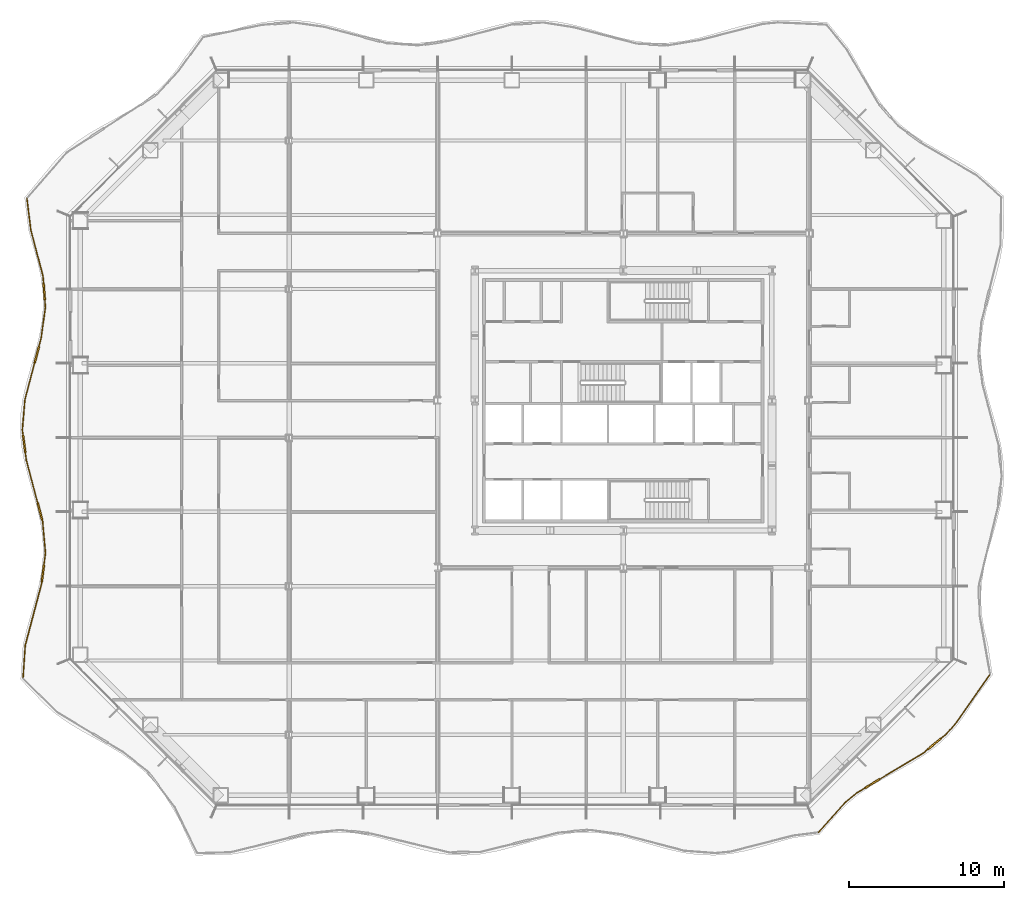
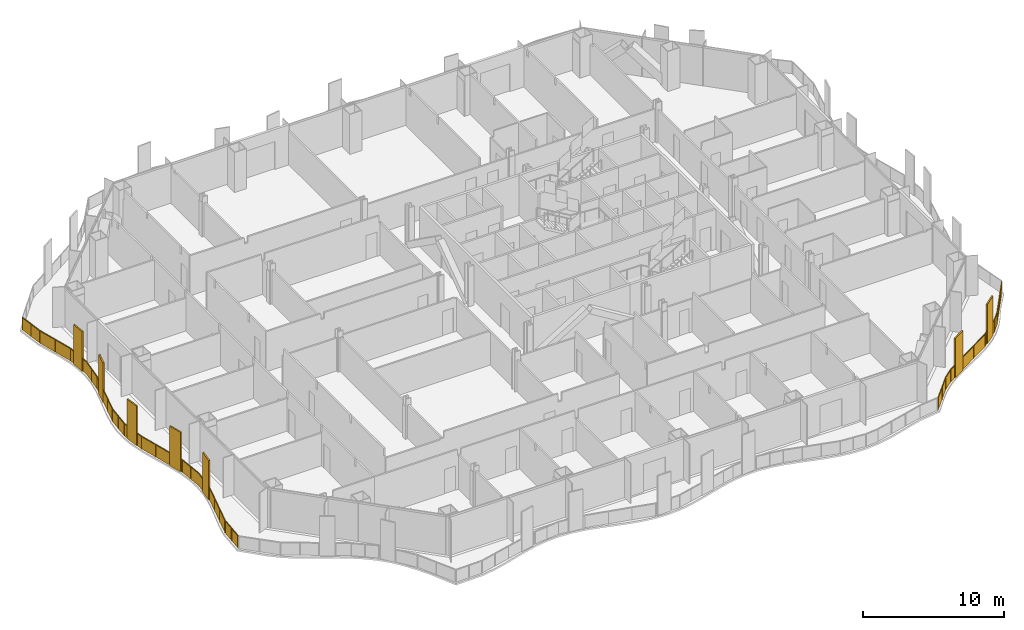
# One storey, part 16 of 20: 2 railings.
"""IFC4 building model written with IfcOpenShell, lengths in metres."""

from ifc_helpers import new_model, si_unit, direction, frame, origin, origin_2d, place, context, subcontext, project, spatial, polyline, rectangle, outline, extrude, material, type_object, element, save


model = new_model("IFC4")

# Units and contexts
model_context = context("Model", 3, precision=1e-05, world=origin(), true_north=direction((0.0, 1.0)))
body_context = subcontext(model_context, "Body", "Model", "MODEL_VIEW")
ifc_project = project(units=[si_unit("LENGTHUNIT", "METRE"), si_unit("AREAUNIT", "SQUARE_METRE"), si_unit("VOLUMEUNIT", "CUBIC_METRE"), si_unit("PLANEANGLEUNIT", "RADIAN"), si_unit("MASSUNIT", "GRAM", prefix="KILO")], contexts=[model_context])

# Site, building, storey
site_placement = place(None, origin())
site = spatial("IfcSite", under=ifc_project, at=site_placement, CompositionType="ELEMENT")
building_placement = place(site_placement, origin())
building = spatial("IfcBuilding", under=site, at=building_placement, Name="Cairn Pilgrim Tower", CompositionType="ELEMENT")
storey_placement = place(building_placement, frame((0.0, 0.0, 51.0)))
storey = spatial("IfcBuildingStorey", under=building, at=storey_placement, Name="L10", CompositionType="ELEMENT", Elevation=51.0)

# Railings
ifc_material = material(Name="Bronze anodised aluminium rail, posts and fin screens with laminated glass infill", Category="aluminium")
railing_type = type_object("IfcRailingType", Name="BALCONY GUARD WITH FIN SCREENS", PredefinedType="GUARDRAIL", material=ifc_material)
railing_1_placement = place(storey_placement, frame((19.806396484375, -25.50146484375, 0.0)))
element("IfcRailing", 1, at=railing_1_placement, inside=storey, type_object=railing_type, Name="Balcony guard BGF-2 with fin screens", PredefinedType="GUARDRAIL", context=body_context, shape_type="SweptSolid", body=[
    extrude(rectangle(XDim=0.050048828125, YDim=0.050048828125, at=origin_2d()), frame((0.0, 0.0, 1.0751953125), z_axis=(0.669372577271, 0.742926882538, 0.0), x_axis=(-0.742926882538, 0.669372577271, 0.0)), (0.0, 0.0, 1.0), 2.5791015625),
    extrude(rectangle(XDim=0.050048828125, YDim=0.050048828125, at=origin_2d()), frame((1.726318359375, 1.916015625, 1.0751953125), z_axis=(0.769505319522, 0.638640402126, 0.0), x_axis=(-0.638640402126, 0.769505319522, 0.0)), (0.0, 0.0, 1.0), 0.996337890625),
    extrude(rectangle(XDim=1.10009765625, YDim=0.110107421875, at=origin_2d()), frame((3.4912109375, 3.150390625, 0.0), z_axis=(0.0, 0.0, 1.0), x_axis=(0.857803039217, 0.513978546158, 0.0)), (0.0, 0.0, 1.0), 3.39990234375),
    extrude(rectangle(XDim=0.050048828125, YDim=0.050048828125, at=origin_2d()), frame((2.492919921875, 2.55224609375, 1.0751953125), z_axis=(0.857803039217, 0.513978546158, 0.0), x_axis=(-0.513978546158, 0.857803039217, 0.0)), (0.0, 0.0, 1.0), 0.61376953125),
    extrude(rectangle(XDim=0.050048828125, YDim=0.050048828125, at=origin_2d()), frame((3.962890625, 3.43310546875, 1.0751953125), z_axis=(0.857803039217, 0.513978546158, 0.0), x_axis=(-0.513978546158, 0.857803039217, 0.0)), (0.0, 0.0, 1.0), 3.28515625),
    extrude(rectangle(XDim=1.10009765625, YDim=0.110107421875, at=origin_2d()), frame((7.51220703125, 5.723876953125, 0.0), z_axis=(0.0, 0.0, 1.0), x_axis=(0.771805757531, 0.635858374673, 0.0)), (0.0, 0.0, 1.0), 3.39990234375),
    extrude(rectangle(XDim=0.050048828125, YDim=0.050048828125, at=origin_2d()), frame((6.781005859375, 5.12158203125, 1.0751953125), z_axis=(0.771805757531, 0.635858374673, 0.0), x_axis=(-0.635858374673, 0.771805757531, 0.0)), (0.0, 0.0, 1.0), 0.397216796875),
    extrude(rectangle(XDim=0.050048828125, YDim=0.050048828125, at=origin_2d()), frame((7.9365234375, 6.07373046875, 1.0751953125), z_axis=(0.771805757531, 0.635858374673, 0.0), x_axis=(-0.635858374673, 0.771805757531, 0.0)), (0.0, 0.0, 1.0), 0.427978515625),
    extrude(rectangle(XDim=0.050048828125, YDim=0.050048828125, at=origin_2d()), frame((8.266845703125, 6.345703125, 1.0751953125), z_axis=(0.658722586756, 0.752385907429, 0.0), x_axis=(-0.752385907429, 0.658722586756, 0.0)), (0.0, 0.0, 1.0), 0.951416015625),
    extrude(rectangle(XDim=0.050048828125, YDim=0.050048828125, at=origin_2d()), frame((8.8935546875, 7.0615234375, 1.0751953125), z_axis=(0.573518794437, 0.819192402569, 0.0), x_axis=(-0.819192402569, 0.573518794437, 0.0)), (0.0, 0.0, 1.0), 3.773193359375),
    extrude(rectangle(XDim=0.050048828125, YDim=0.050048828125, at=origin_2d()), origin(), (0.0, 0.0, 1.0), 1.050048828125),
    extrude(rectangle(XDim=0.050048828125, YDim=0.050048828125, at=origin_2d()), frame((0.86328125, 0.9580078125, 0.0)), (0.0, 0.0, 1.0), 1.050048828125),
    extrude(rectangle(XDim=0.050048828125, YDim=0.050048828125, at=origin_2d()), frame((1.726318359375, 1.916015625, 0.0)), (0.0, 0.0, 1.0), 1.050048828125),
    extrude(rectangle(XDim=0.050048828125, YDim=0.050048828125, at=origin_2d()), frame((2.492919921875, 2.55224609375, 0.0)), (0.0, 0.0, 1.0), 1.050048828125),
    extrude(rectangle(XDim=0.050048828125, YDim=0.050048828125, at=origin_2d()), frame((2.998046875, 2.854736328125, 0.0)), (0.0, 0.0, 1.0), 1.050048828125),
    extrude(rectangle(XDim=0.050048828125, YDim=0.050048828125, at=origin_2d()), frame((3.984375, 3.446044921875, 0.0)), (0.0, 0.0, 1.0), 1.050048828125),
    extrude(rectangle(XDim=0.050048828125, YDim=0.050048828125, at=origin_2d()), frame((5.3828125, 4.28369140625, 0.0)), (0.0, 0.0, 1.0), 1.050048828125),
    extrude(rectangle(XDim=0.050048828125, YDim=0.050048828125, at=origin_2d()), frame((6.781005859375, 5.12158203125, 0.0)), (0.0, 0.0, 1.0), 1.050048828125),
    extrude(rectangle(XDim=0.050048828125, YDim=0.050048828125, at=origin_2d()), frame((7.068359375, 5.358154296875, 0.0)), (0.0, 0.0, 1.0), 1.050048828125),
    extrude(rectangle(XDim=0.050048828125, YDim=0.050048828125, at=origin_2d()), frame((7.955810546875, 6.089599609375, 0.0)), (0.0, 0.0, 1.0), 1.050048828125),
    extrude(rectangle(XDim=0.050048828125, YDim=0.050048828125, at=origin_2d()), frame((8.266845703125, 6.345703125, 0.0)), (0.0, 0.0, 1.0), 1.050048828125),
    extrude(rectangle(XDim=0.050048828125, YDim=0.050048828125, at=origin_2d()), frame((8.8935546875, 7.0615234375, 0.0)), (0.0, 0.0, 1.0), 1.050048828125),
    extrude(rectangle(XDim=0.050048828125, YDim=0.050048828125, at=origin_2d()), frame((9.614990234375, 8.091796875, 0.0)), (0.0, 0.0, 1.0), 1.050048828125),
    extrude(rectangle(XDim=0.050048828125, YDim=0.050048828125, at=origin_2d()), frame((10.336181640625, 9.122314453125, 0.0)), (0.0, 0.0, 1.0), 1.050048828125),
    extrude(rectangle(XDim=0.050048828125, YDim=0.050048828125, at=origin_2d()), frame((11.0576171875, 10.152587890625, 0.0)), (0.0, 0.0, 1.0), 1.050048828125),
    extrude(outline(polyline([(0.02490234375, 0.0), (1.264404296875, 0.0), (1.264404296875, 1.050048828125), (0.02490234375, 1.050048828125), (0.02490234375, 0.0)])), frame((-0.00439453125, 0.00390625, 0.0), z_axis=(0.742926882538, -0.669372577271, 0.0), x_axis=(0.669372577271, 0.742926882538, 0.0)), (0.0, 0.0, 1.0), 0.011962890625),
    extrude(outline(polyline([(0.02490234375, 0.0), (1.264404296875, 0.0), (1.264404296875, 1.050048828125), (0.02490234375, 1.050048828125), (0.02490234375, 0.0)])), frame((0.858642578125, 0.9619140625, 0.0), z_axis=(0.742926882538, -0.669372577271, 0.0), x_axis=(0.669372577271, 0.742926882538, 0.0)), (0.0, 0.0, 1.0), 0.011962890625),
    extrude(outline(polyline([(0.02490234375, 0.0), (0.97119140625, 0.0), (0.97119140625, 1.050048828125), (0.02490234375, 1.050048828125), (0.02490234375, 0.0)])), frame((1.722412109375, 1.920654296875, 0.0), z_axis=(0.638640402126, -0.769505319522, 0.0), x_axis=(0.769505319522, 0.638640402126, 0.0)), (0.0, 0.0, 1.0), 0.011962890625),
    extrude(outline(polyline([(0.02490234375, 0.0), (0.563720703125, 0.0), (0.563720703125, 1.050048828125), (0.02490234375, 1.050048828125), (0.02490234375, 0.0)])), frame((2.48974609375, 2.557373046875, 0.0), z_axis=(0.513978546158, -0.857803039217, 0.0), x_axis=(0.857803039217, 0.513978546158, 0.0)), (0.0, 0.0, 1.0), 0.011962890625),
    extrude(outline(polyline([(0.02490234375, 0.0), (1.60498046875, 0.0), (1.60498046875, 1.050048828125), (0.02490234375, 1.050048828125), (0.02490234375, 0.0)])), frame((3.9814453125, 3.451171875, 0.0), z_axis=(0.513978546158, -0.857803039217, 0.0), x_axis=(0.857803039217, 0.513978546158, 0.0)), (0.0, 0.0, 1.0), 0.011962890625),
    extrude(outline(polyline([(0.02490234375, 0.0), (1.60498046875, 0.0), (1.60498046875, 1.050048828125), (0.02490234375, 1.050048828125), (0.02490234375, 0.0)])), frame((5.379638671875, 4.288818359375, 0.0), z_axis=(0.513978546158, -0.857803039217, 0.0), x_axis=(0.857803039217, 0.513978546158, 0.0)), (0.0, 0.0, 1.0), 0.011962890625),
    extrude(outline(polyline([(0.02490234375, 0.0), (0.34716796875, 0.0), (0.34716796875, 1.050048828125), (0.02490234375, 1.050048828125), (0.02490234375, 0.0)])), frame((6.777099609375, 5.126220703125, 0.0), z_axis=(0.635858374673, -0.771805757531, 0.0), x_axis=(0.771805757531, 0.635858374673, 0.0)), (0.0, 0.0, 1.0), 0.011962890625),
    extrude(outline(polyline([(0.02490234375, 0.0), (0.3779296875, 0.0), (0.3779296875, 1.050048828125), (0.02490234375, 1.050048828125), (0.02490234375, 0.0)])), frame((7.9521484375, 6.09423828125, 0.0), z_axis=(0.635858374673, -0.771805757531, 0.0), x_axis=(0.771805757531, 0.635858374673, 0.0)), (0.0, 0.0, 1.0), 0.011962890625),
    extrude(outline(polyline([(0.02490234375, 0.0), (0.92626953125, 0.0), (0.92626953125, 1.050048828125), (0.02490234375, 1.050048828125), (0.02490234375, 0.0)])), frame((8.262451171875, 6.349609375, 0.0), z_axis=(0.752385907429, -0.658722586756, 0.0), x_axis=(0.658722586756, 0.752385907429, 0.0)), (0.0, 0.0, 1.0), 0.011962890625),
    extrude(outline(polyline([(0.02490234375, 0.0), (1.232666015625, 0.0), (1.232666015625, 1.050048828125), (0.02490234375, 1.050048828125), (0.02490234375, 0.0)])), frame((8.888671875, 7.06494140625, 0.0), z_axis=(0.819192402569, -0.573518794437, 0.0), x_axis=(0.573518794437, 0.819192402569, 0.0)), (0.0, 0.0, 1.0), 0.011962890625),
    extrude(outline(polyline([(0.02490234375, 0.0), (1.232666015625, 0.0), (1.232666015625, 1.050048828125), (0.02490234375, 1.050048828125), (0.02490234375, 0.0)])), frame((9.610107421875, 8.09521484375, 0.0), z_axis=(0.819192402569, -0.573518794437, 0.0), x_axis=(0.573518794437, 0.819192402569, 0.0)), (0.0, 0.0, 1.0), 0.011962890625),
    extrude(outline(polyline([(0.02490234375, 0.0), (1.232666015625, 0.0), (1.232666015625, 1.050048828125), (0.02490234375, 1.050048828125), (0.02490234375, 0.0)])), frame((10.331298828125, 9.125732421875, 0.0), z_axis=(0.819192402569, -0.573518794437, 0.0), x_axis=(0.573518794437, 0.819192402569, 0.0)), (0.0, 0.0, 1.0), 0.011962890625),
])
railing_2_placement = place(storey_placement, frame((-31.350341796875, 15.473388671875, 0.0)))
element("IfcRailing", 2, at=railing_2_placement, inside=storey, type_object=railing_type, Name="Balcony guard BGF-7 with fin screens", PredefinedType="GUARDRAIL", context=body_context, shape_type="SweptSolid", body=[
    extrude(rectangle(XDim=0.050048828125, YDim=0.050048828125, at=origin_2d()), frame((0.0, 0.0, 1.0751953125), z_axis=(0.1221029482, -0.992517440673, 0.0), x_axis=(0.992517440673, 0.1221029482, 0.0)), (0.0, 0.0, 1.0), 2.053466796875),
    extrude(rectangle(XDim=0.050048828125, YDim=0.050048828125, at=origin_2d()), frame((0.250732421875, -2.0380859375, 1.0751953125), z_axis=(0.255252920373, -0.966874317914, 0.0), x_axis=(0.966874317914, 0.255252920373, 0.0)), (0.0, 0.0, 1.0), 3.084716796875),
    extrude(rectangle(XDim=1.10009765625, YDim=0.110107421875, at=origin_2d()), frame((1.115478515625, -6.005615234375, 0.0), z_axis=(0.0, 0.0, 1.0), x_axis=(0.078238304034, -0.996934685815, 0.0)), (0.0, 0.0, 1.0), 3.39990234375),
    extrude(rectangle(XDim=0.050048828125, YDim=0.050048828125, at=origin_2d()), frame((1.0380859375, -5.0205078125, 1.0751953125), z_axis=(0.078238304034, -0.996934685815, 0.0), x_axis=(0.996934685815, 0.078238304034, 0.0)), (0.0, 0.0, 1.0), 0.43798828125),
    extrude(rectangle(XDim=0.050048828125, YDim=0.050048828125, at=origin_2d()), frame((1.158447265625, -6.553955078125, 1.0751953125), z_axis=(0.078238304034, -0.996934685815, 0.0), x_axis=(0.996934685815, 0.078238304034, 0.0)), (0.0, 0.0, 1.0), 0.484130859375),
    extrude(rectangle(XDim=0.050048828125, YDim=0.050048828125, at=origin_2d()), frame((1.1962890625, -7.036376953125, 1.0751953125), z_axis=(-0.137060499236, -0.990562678254, 0.0), x_axis=(0.990562678254, -0.137060499236, 0.0)), (0.0, 0.0, 1.0), 2.030517578125),
    extrude(rectangle(XDim=1.10009765625, YDim=0.110107421875, at=origin_2d()), frame((0.639404296875, -10.1025390625, 0.0), z_axis=(0.0, 0.0, 1.0), x_axis=(-0.255403711426, -0.966834496793, 0.0)), (0.0, 0.0, 1.0), 3.39990234375),
    extrude(rectangle(XDim=0.050048828125, YDim=0.050048828125, at=origin_2d()), frame((0.91796875, -9.0478515625, 1.0751953125), z_axis=(-0.255403711426, -0.966834496793, 0.0), x_axis=(0.966834496793, -0.255403711426, 0.0)), (0.0, 0.0, 1.0), 0.540771484375),
    extrude(rectangle(XDim=0.050048828125, YDim=0.050048828125, at=origin_2d()), frame((0.498779296875, -10.63427734375, 1.0751953125), z_axis=(-0.255403711426, -0.966834496793, 0.0), x_axis=(0.966834496793, -0.255403711426, 0.0)), (0.0, 0.0, 1.0), 2.4638671875),
    extrude(rectangle(XDim=0.050048828125, YDim=0.050048828125, at=origin_2d()), frame((-0.13037109375, -13.016357421875, 1.0751953125), z_axis=(-0.084166909647, -0.996451670339, 0.0), x_axis=(0.996451670339, -0.084166909647, 0.0)), (0.0, 0.0, 1.0), 1.9638671875),
    extrude(rectangle(XDim=1.10009765625, YDim=0.110107421875, at=origin_2d()), frame((-0.176513671875, -15.869140625, 0.0), z_axis=(0.0, 0.0, 1.0), x_axis=(0.131702853889, -0.991289240473, 0.0)), (0.0, 0.0, 1.0), 3.39990234375),
    extrude(rectangle(XDim=0.050048828125, YDim=0.050048828125, at=origin_2d()), frame((-0.295654296875, -14.97314453125, 1.0751953125), z_axis=(0.131702853889, -0.991289240473, 0.0), x_axis=(0.991289240473, 0.131702853889, 0.0)), (0.0, 0.0, 1.0), 0.353759765625),
    extrude(rectangle(XDim=0.050048828125, YDim=0.050048828125, at=origin_2d()), frame((-0.104248046875, -16.414306640625, 1.0751953125), z_axis=(0.131702853889, -0.991289240473, 0.0), x_axis=(0.991289240473, 0.131702853889, 0.0)), (0.0, 0.0, 1.0), 0.524169921875),
    extrude(rectangle(XDim=1.10009765625, YDim=0.110107421875, at=origin_2d()), frame((0.838134765625, -20.232666015625, 0.0), z_axis=(0.0, 0.0, 1.0), x_axis=(0.255921930689, -0.966697452874, 0.0)), (0.0, 0.0, 1.0), 3.39990234375),
    extrude(rectangle(XDim=0.050048828125, YDim=0.050048828125, at=origin_2d()), frame((-0.03515625, -16.933837890625, 1.0751953125), z_axis=(0.255921930689, -0.966697452874, 0.0), x_axis=(0.966697452874, 0.255921930689, 0.0)), (0.0, 0.0, 1.0), 2.8623046875),
    extrude(rectangle(XDim=0.050048828125, YDim=0.050048828125, at=origin_2d()), frame((0.97900390625, -20.764404296875, 1.0751953125), z_axis=(0.255921930689, -0.966697452874, 0.0), x_axis=(0.966697452874, 0.255921930689, 0.0)), (0.0, 0.0, 1.0), 0.150146484375),
    extrude(rectangle(XDim=0.050048828125, YDim=0.050048828125, at=origin_2d()), frame((1.017333984375, -20.909423828125, 1.0751953125), z_axis=(0.090024344552, -0.995939565128, 0.0), x_axis=(0.995939565128, 0.090024344552, 0.0)), (0.0, 0.0, 1.0), 2.023193359375),
    extrude(rectangle(XDim=1.10009765625, YDim=0.110107421875, at=origin_2d()), frame((1.031494140625, -24.2421875, 0.0), z_axis=(0.0, 0.0, 1.0), x_axis=(-0.12635978431, -0.991984478159, 0.0)), (0.0, 0.0, 1.0), 3.39990234375),
    extrude(rectangle(XDim=0.050048828125, YDim=0.050048828125, at=origin_2d()), frame((1.199462890625, -22.92431640625, 1.0751953125), z_axis=(-0.12635978431, -0.991984478159, 0.0), x_axis=(0.991984478159, -0.12635978431, 0.0)), (0.0, 0.0, 1.0), 0.778564453125),
    extrude(rectangle(XDim=0.050048828125, YDim=0.050048828125, at=origin_2d()), frame((0.962158203125, -24.787841796875, 1.0751953125), z_axis=(-0.12635978431, -0.991984478159, 0.0), x_axis=(0.991984478159, -0.12635978431, 0.0)), (0.0, 0.0, 1.0), 0.150146484375),
    extrude(rectangle(XDim=0.050048828125, YDim=0.050048828125, at=origin_2d()), frame((0.943115234375, -24.936767578125, 1.0751953125), z_axis=(-0.256266876343, -0.966606066652, 0.0), x_axis=(0.966606066652, -0.256266876343, 0.0)), (0.0, 0.0, 1.0), 4.105224609375),
    extrude(rectangle(XDim=0.050048828125, YDim=0.050048828125, at=origin_2d()), frame((-0.10888671875, -28.90478515625, 1.0751953125), z_axis=(-0.06691638949, -0.997758586441, 0.0), x_axis=(0.997758586441, -0.06691638949, 0.0)), (0.0, 0.0, 1.0), 2.07958984375),
    extrude(rectangle(XDim=0.050048828125, YDim=0.050048828125, at=origin_2d()), origin(), (0.0, 0.0, 1.0), 1.050048828125),
    extrude(rectangle(XDim=0.050048828125, YDim=0.050048828125, at=origin_2d()), frame((0.12548828125, -1.01904296875, 0.0)), (0.0, 0.0, 1.0), 1.050048828125),
    extrude(rectangle(XDim=0.050048828125, YDim=0.050048828125, at=origin_2d()), frame((0.250732421875, -2.0380859375, 0.0)), (0.0, 0.0, 1.0), 1.050048828125),
    extrude(rectangle(XDim=0.050048828125, YDim=0.050048828125, at=origin_2d()), frame((0.64453125, -3.529296875, 0.0)), (0.0, 0.0, 1.0), 1.050048828125),
    extrude(rectangle(XDim=0.050048828125, YDim=0.050048828125, at=origin_2d()), frame((1.0380859375, -5.0205078125, 0.0)), (0.0, 0.0, 1.0), 1.050048828125),
    extrude(rectangle(XDim=0.050048828125, YDim=0.050048828125, at=origin_2d()), frame((1.0703125, -5.432373046875, 0.0)), (0.0, 0.0, 1.0), 1.050048828125),
    extrude(rectangle(XDim=0.050048828125, YDim=0.050048828125, at=origin_2d()), frame((1.160400390625, -6.578857421875, 0.0)), (0.0, 0.0, 1.0), 1.050048828125),
    extrude(rectangle(XDim=0.050048828125, YDim=0.050048828125, at=origin_2d()), frame((1.1962890625, -7.036376953125, 0.0)), (0.0, 0.0, 1.0), 1.050048828125),
    extrude(rectangle(XDim=0.050048828125, YDim=0.050048828125, at=origin_2d()), frame((1.05712890625, -8.0419921875, 0.0)), (0.0, 0.0, 1.0), 1.050048828125),
    extrude(rectangle(XDim=0.050048828125, YDim=0.050048828125, at=origin_2d()), frame((0.91796875, -9.0478515625, 0.0)), (0.0, 0.0, 1.0), 1.050048828125),
    extrude(rectangle(XDim=0.050048828125, YDim=0.050048828125, at=origin_2d()), frame((0.7861328125, -9.546630859375, 0.0)), (0.0, 0.0, 1.0), 1.050048828125),
    extrude(rectangle(XDim=0.050048828125, YDim=0.050048828125, at=origin_2d()), frame((0.492431640625, -10.658447265625, 0.0)), (0.0, 0.0, 1.0), 1.050048828125),
    extrude(rectangle(XDim=0.050048828125, YDim=0.050048828125, at=origin_2d()), frame((0.18115234375, -11.83740234375, 0.0)), (0.0, 0.0, 1.0), 1.050048828125),
    extrude(rectangle(XDim=0.050048828125, YDim=0.050048828125, at=origin_2d()), frame((-0.13037109375, -13.016357421875, 0.0)), (0.0, 0.0, 1.0), 1.050048828125),
    extrude(rectangle(XDim=0.050048828125, YDim=0.050048828125, at=origin_2d()), frame((-0.212890625, -13.99462890625, 0.0)), (0.0, 0.0, 1.0), 1.050048828125),
    extrude(rectangle(XDim=0.050048828125, YDim=0.050048828125, at=origin_2d()), frame((-0.295654296875, -14.97314453125, 0.0)), (0.0, 0.0, 1.0), 1.050048828125),
    extrude(rectangle(XDim=0.050048828125, YDim=0.050048828125, at=origin_2d()), frame((-0.25244140625, -15.299072265625, 0.0)), (0.0, 0.0, 1.0), 1.050048828125),
    extrude(rectangle(XDim=0.050048828125, YDim=0.050048828125, at=origin_2d()), frame((-0.100830078125, -16.439208984375, 0.0)), (0.0, 0.0, 1.0), 1.050048828125),
    extrude(rectangle(XDim=0.050048828125, YDim=0.050048828125, at=origin_2d()), frame((-0.03515625, -16.933837890625, 0.0)), (0.0, 0.0, 1.0), 1.050048828125),
    extrude(rectangle(XDim=0.050048828125, YDim=0.050048828125, at=origin_2d()), frame((0.327880859375, -18.30517578125, 0.0)), (0.0, 0.0, 1.0), 1.050048828125),
    extrude(rectangle(XDim=0.050048828125, YDim=0.050048828125, at=origin_2d()), frame((0.69091796875, -19.6767578125, 0.0)), (0.0, 0.0, 1.0), 1.050048828125),
    extrude(rectangle(XDim=0.050048828125, YDim=0.050048828125, at=origin_2d()), frame((0.9853515625, -20.78857421875, 0.0)), (0.0, 0.0, 1.0), 1.050048828125),
    extrude(rectangle(XDim=0.050048828125, YDim=0.050048828125, at=origin_2d()), frame((1.017333984375, -20.909423828125, 0.0)), (0.0, 0.0, 1.0), 1.050048828125),
    extrude(rectangle(XDim=0.050048828125, YDim=0.050048828125, at=origin_2d()), frame((1.1083984375, -21.9169921875, 0.0)), (0.0, 0.0, 1.0), 1.050048828125),
    extrude(rectangle(XDim=0.050048828125, YDim=0.050048828125, at=origin_2d()), frame((1.199462890625, -22.92431640625, 0.0)), (0.0, 0.0, 1.0), 1.050048828125),
    extrude(rectangle(XDim=0.050048828125, YDim=0.050048828125, at=origin_2d()), frame((1.104248046875, -23.671875, 0.0)), (0.0, 0.0, 1.0), 1.050048828125),
    extrude(rectangle(XDim=0.050048828125, YDim=0.050048828125, at=origin_2d()), frame((0.958984375, -24.812744140625, 0.0)), (0.0, 0.0, 1.0), 1.050048828125),
    extrude(rectangle(XDim=0.050048828125, YDim=0.050048828125, at=origin_2d()), frame((0.943115234375, -24.936767578125, 0.0)), (0.0, 0.0, 1.0), 1.050048828125),
    extrude(rectangle(XDim=0.050048828125, YDim=0.050048828125, at=origin_2d()), frame((0.592529296875, -26.259521484375, 0.0)), (0.0, 0.0, 1.0), 1.050048828125),
    extrude(rectangle(XDim=0.050048828125, YDim=0.050048828125, at=origin_2d()), frame((0.24169921875, -27.58203125, 0.0)), (0.0, 0.0, 1.0), 1.050048828125),
    extrude(rectangle(XDim=0.050048828125, YDim=0.050048828125, at=origin_2d()), frame((-0.10888671875, -28.90478515625, 0.0)), (0.0, 0.0, 1.0), 1.050048828125),
    extrude(rectangle(XDim=0.050048828125, YDim=0.050048828125, at=origin_2d()), frame((-0.178466796875, -29.9423828125, 0.0)), (0.0, 0.0, 1.0), 1.050048828125),
    extrude(rectangle(XDim=0.050048828125, YDim=0.050048828125, at=origin_2d()), frame((-0.248046875, -30.979736328125, 0.0)), (0.0, 0.0, 1.0), 1.050048828125),
    extrude(outline(polyline([(0.02490234375, 0.0), (1.001708984375, 0.0), (1.001708984375, 1.050048828125), (0.02490234375, 1.050048828125), (0.02490234375, 0.0)])), frame((0.005859375, 0.000732421875, 0.0), z_axis=(-0.992517440673, -0.1221029482, 0.0), x_axis=(0.1221029482, -0.992517440673, 0.0)), (0.0, 0.0, 1.0), 0.011962890625),
    extrude(outline(polyline([(0.02490234375, 0.0), (1.001708984375, 0.0), (1.001708984375, 1.050048828125), (0.02490234375, 1.050048828125), (0.02490234375, 0.0)])), frame((0.13134765625, -1.018310546875, 0.0), z_axis=(-0.992517440673, -0.1221029482, 0.0), x_axis=(0.1221029482, -0.992517440673, 0.0)), (0.0, 0.0, 1.0), 0.011962890625),
    extrude(outline(polyline([(0.02490234375, 0.0), (1.517333984375, 0.0), (1.517333984375, 1.050048828125), (0.02490234375, 1.050048828125), (0.02490234375, 0.0)])), frame((0.256591796875, -2.03662109375, 0.0), z_axis=(-0.966874317914, -0.255252920373, 0.0), x_axis=(0.255252920373, -0.966874317914, 0.0)), (0.0, 0.0, 1.0), 0.011962890625),
    extrude(outline(polyline([(0.02490234375, 0.0), (1.517333984375, 0.0), (1.517333984375, 1.050048828125), (0.02490234375, 1.050048828125), (0.02490234375, 0.0)])), frame((0.650146484375, -3.52783203125, 0.0), z_axis=(-0.966874317914, -0.255252920373, 0.0), x_axis=(0.255252920373, -0.966874317914, 0.0)), (0.0, 0.0, 1.0), 0.011962890625),
    extrude(outline(polyline([(0.02490234375, 0.0), (0.387939453125, 0.0), (0.387939453125, 1.050048828125), (0.02490234375, 1.050048828125), (0.02490234375, 0.0)])), frame((1.0439453125, -5.02001953125, 0.0), z_axis=(-0.996934685815, -0.078238304034, 0.0), x_axis=(0.078238304034, -0.996934685815, 0.0)), (0.0, 0.0, 1.0), 0.011962890625),
    extrude(outline(polyline([(0.02490234375, 0.0), (0.43408203125, 0.0), (0.43408203125, 1.050048828125), (0.02490234375, 1.050048828125), (0.02490234375, 0.0)])), frame((1.166259765625, -6.578369140625, 0.0), z_axis=(-0.996934685815, -0.078238304034, 0.0), x_axis=(0.078238304034, -0.996934685815, 0.0)), (0.0, 0.0, 1.0), 0.011962890625),
    extrude(outline(polyline([(0.02490234375, 0.0), (0.990234375, 0.0), (0.990234375, 1.050048828125), (0.02490234375, 1.050048828125), (0.02490234375, 0.0)])), frame((1.2021484375, -7.037109375, 0.0), z_axis=(-0.990562678254, 0.137060499236, 0.0), x_axis=(-0.137060499236, -0.990562678254, 0.0)), (0.0, 0.0, 1.0), 0.011962890625),
    extrude(outline(polyline([(0.02490234375, 0.0), (0.990234375, 0.0), (0.990234375, 1.050048828125), (0.02490234375, 1.050048828125), (0.02490234375, 0.0)])), frame((1.06298828125, -8.04296875, 0.0), z_axis=(-0.990562678254, 0.137060499236, 0.0), x_axis=(-0.137060499236, -0.990562678254, 0.0)), (0.0, 0.0, 1.0), 0.011962890625),
    extrude(outline(polyline([(0.02490234375, 0.0), (0.49072265625, 0.0), (0.49072265625, 1.050048828125), (0.02490234375, 1.050048828125), (0.02490234375, 0.0)])), frame((0.923828125, -9.04931640625, 0.0), z_axis=(-0.966834496793, 0.255403711426, 0.0), x_axis=(-0.255403711426, -0.966834496793, 0.0)), (0.0, 0.0, 1.0), 0.011962890625),
    extrude(outline(polyline([(0.02490234375, 0.0), (1.1943359375, 0.0), (1.1943359375, 1.050048828125), (0.02490234375, 1.050048828125), (0.02490234375, 0.0)])), frame((0.498291015625, -10.659912109375, 0.0), z_axis=(-0.966834496793, 0.255403711426, 0.0), x_axis=(-0.255403711426, -0.966834496793, 0.0)), (0.0, 0.0, 1.0), 0.011962890625),
    extrude(outline(polyline([(0.02490234375, 0.0), (1.1943359375, 0.0), (1.1943359375, 1.050048828125), (0.02490234375, 1.050048828125), (0.02490234375, 0.0)])), frame((0.186767578125, -11.8388671875, 0.0), z_axis=(-0.966834496793, 0.255403711426, 0.0), x_axis=(-0.255403711426, -0.966834496793, 0.0)), (0.0, 0.0, 1.0), 0.011962890625),
    extrude(outline(polyline([(0.02490234375, 0.0), (0.956787109375, 0.0), (0.956787109375, 1.050048828125), (0.02490234375, 1.050048828125), (0.02490234375, 0.0)])), frame((-0.12451171875, -13.016845703125, 0.0), z_axis=(-0.996451670339, 0.084166909647, 0.0), x_axis=(-0.084166909647, -0.996451670339, 0.0)), (0.0, 0.0, 1.0), 0.011962890625),
    extrude(outline(polyline([(0.02490234375, 0.0), (0.956787109375, 0.0), (0.956787109375, 1.050048828125), (0.02490234375, 1.050048828125), (0.02490234375, 0.0)])), frame((-0.20703125, -13.995361328125, 0.0), z_axis=(-0.996451670339, 0.084166909647, 0.0), x_axis=(-0.084166909647, -0.996451670339, 0.0)), (0.0, 0.0, 1.0), 0.011962890625),
    extrude(outline(polyline([(0.02490234375, 0.0), (0.3037109375, 0.0), (0.3037109375, 1.050048828125), (0.02490234375, 1.050048828125), (0.02490234375, 0.0)])), frame((-0.289794921875, -14.972412109375, 0.0), z_axis=(-0.991289240473, -0.131702853889, 0.0), x_axis=(0.131702853889, -0.991289240473, 0.0)), (0.0, 0.0, 1.0), 0.011962890625),
    extrude(outline(polyline([(0.02490234375, 0.0), (0.47412109375, 0.0), (0.47412109375, 1.050048828125), (0.02490234375, 1.050048828125), (0.02490234375, 0.0)])), frame((-0.094970703125, -16.438232421875, 0.0), z_axis=(-0.991289240473, -0.131702853889, 0.0), x_axis=(0.131702853889, -0.991289240473, 0.0)), (0.0, 0.0, 1.0), 0.011962890625),
    extrude(outline(polyline([(0.02490234375, 0.0), (1.3935546875, 0.0), (1.3935546875, 1.050048828125), (0.02490234375, 1.050048828125), (0.02490234375, 0.0)])), frame((-0.029296875, -16.932373046875, 0.0), z_axis=(-0.966697452874, -0.255921930689, 0.0), x_axis=(0.255921930689, -0.966697452874, 0.0)), (0.0, 0.0, 1.0), 0.011962890625),
    extrude(outline(polyline([(0.02490234375, 0.0), (1.3935546875, 0.0), (1.3935546875, 1.050048828125), (0.02490234375, 1.050048828125), (0.02490234375, 0.0)])), frame((0.333740234375, -18.3037109375, 0.0), z_axis=(-0.966697452874, -0.255921930689, 0.0), x_axis=(0.255921930689, -0.966697452874, 0.0)), (0.0, 0.0, 1.0), 0.011962890625),
    extrude(outline(polyline([(0.02490234375, 0.0), (0.10009765625, 0.0), (0.10009765625, 1.050048828125), (0.02490234375, 1.050048828125), (0.02490234375, 0.0)])), frame((0.9912109375, -20.786865234375, 0.0), z_axis=(-0.966697452874, -0.255921930689, 0.0), x_axis=(0.255921930689, -0.966697452874, 0.0)), (0.0, 0.0, 1.0), 0.011962890625),
    extrude(outline(polyline([(0.02490234375, 0.0), (0.986572265625, 0.0), (0.986572265625, 1.050048828125), (0.02490234375, 1.050048828125), (0.02490234375, 0.0)])), frame((1.023193359375, -20.908935546875, 0.0), z_axis=(-0.995939565128, -0.090024344552, 0.0), x_axis=(0.090024344552, -0.995939565128, 0.0)), (0.0, 0.0, 1.0), 0.011962890625),
    extrude(outline(polyline([(0.02490234375, 0.0), (0.986572265625, 0.0), (0.986572265625, 1.050048828125), (0.02490234375, 1.050048828125), (0.02490234375, 0.0)])), frame((1.1142578125, -21.916259765625, 0.0), z_axis=(-0.995939565128, -0.090024344552, 0.0), x_axis=(0.090024344552, -0.995939565128, 0.0)), (0.0, 0.0, 1.0), 0.011962890625),
    extrude(outline(polyline([(0.02490234375, 0.0), (0.728515625, 0.0), (0.728515625, 1.050048828125), (0.02490234375, 1.050048828125), (0.02490234375, 0.0)])), frame((1.205322265625, -22.925048828125, 0.0), z_axis=(-0.991984478159, 0.12635978431, 0.0), x_axis=(-0.12635978431, -0.991984478159, 0.0)), (0.0, 0.0, 1.0), 0.011962890625),
    extrude(outline(polyline([(0.02490234375, 0.0), (0.10009765625, 0.0), (0.10009765625, 1.050048828125), (0.02490234375, 1.050048828125), (0.02490234375, 0.0)])), frame((0.96484375, -24.8134765625, 0.0), z_axis=(-0.991984478159, 0.12635978431, 0.0), x_axis=(-0.12635978431, -0.991984478159, 0.0)), (0.0, 0.0, 1.0), 0.011962890625),
    extrude(outline(polyline([(0.02490234375, 0.0), (1.34326171875, 0.0), (1.34326171875, 1.050048828125), (0.02490234375, 1.050048828125), (0.02490234375, 0.0)])), frame((0.948974609375, -24.938232421875, 0.0), z_axis=(-0.966606066652, 0.256266876343, 0.0), x_axis=(-0.256266876343, -0.966606066652, 0.0)), (0.0, 0.0, 1.0), 0.011962890625),
    extrude(outline(polyline([(0.02490234375, 0.0), (1.34326171875, 0.0), (1.34326171875, 1.050048828125), (0.02490234375, 1.050048828125), (0.02490234375, 0.0)])), frame((0.59814453125, -26.260986328125, 0.0), z_axis=(-0.966606066652, 0.256266876343, 0.0), x_axis=(-0.256266876343, -0.966606066652, 0.0)), (0.0, 0.0, 1.0), 0.011962890625),
    extrude(outline(polyline([(0.02490234375, 0.0), (1.34326171875, 0.0), (1.34326171875, 1.050048828125), (0.02490234375, 1.050048828125), (0.02490234375, 0.0)])), frame((0.24755859375, -27.583740234375, 0.0), z_axis=(-0.966606066652, 0.256266876343, 0.0), x_axis=(-0.256266876343, -0.966606066652, 0.0)), (0.0, 0.0, 1.0), 0.011962890625),
    extrude(outline(polyline([(0.02490234375, 0.0), (1.014892578125, 0.0), (1.014892578125, 1.050048828125), (0.02490234375, 1.050048828125), (0.02490234375, 0.0)])), frame((-0.10302734375, -28.9052734375, 0.0), z_axis=(-0.997758586441, 0.06691638949, 0.0), x_axis=(-0.06691638949, -0.997758586441, 0.0)), (0.0, 0.0, 1.0), 0.011962890625),
    extrude(outline(polyline([(0.02490234375, 0.0), (1.014892578125, 0.0), (1.014892578125, 1.050048828125), (0.02490234375, 1.050048828125), (0.02490234375, 0.0)])), frame((-0.172607421875, -29.942626953125, 0.0), z_axis=(-0.997758586441, 0.06691638949, 0.0), x_axis=(-0.06691638949, -0.997758586441, 0.0)), (0.0, 0.0, 1.0), 0.011962890625),
])

save(model, "model.ifc")
